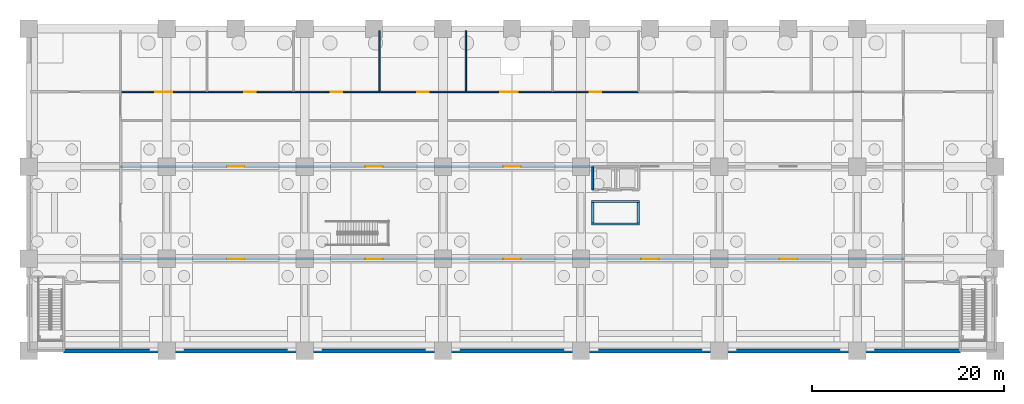
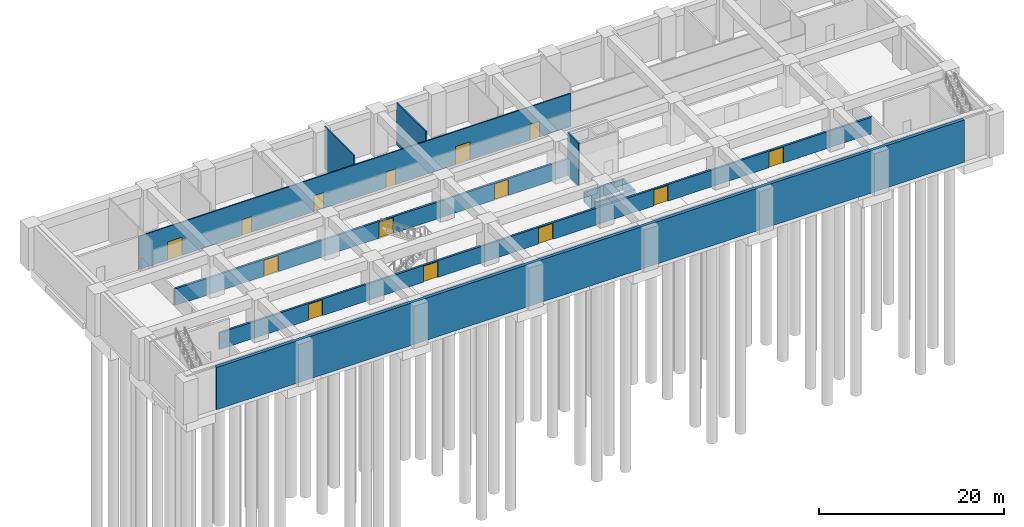
# One storey, part 4 of 13: 14 doors, 11 walls, 14 openings.
"""IFC4 building model written with IfcOpenShell, lengths in metres."""

import ifcopenshell
import ifcopenshell.guid

model = None  # the IFC model being written
_history = None  # IfcOwnerHistory: only IFC2X3 demands one
_inside = {}  # id of a spatial element -> (the spatial element, [elements in it])
_under = {}  # id of a project, library or spatial element -> (it, [spatial elements below it])
_declared = {}  # id of a project -> (the project, [libraries it declares])
_typed = {}  # id of a type object -> (the type object, [elements of that type])
_made_of = {}  # id of a material, layer set ... -> (it, [elements and type objects made of it])


def new_model(schema):
    """Start an empty IFC model of exactly this schema.

    Asked for "IFC4X3", IfcOpenShell would pick the latest addendum, in which some entities
    have other attributes; the version numbers below select the first issue.
    IFC2X3 requires an IfcOwnerHistory on every rooted entity: one is made here for all.
    """
    global model, _history
    if schema == "IFC4X3":
        model = ifcopenshell.file(schema_version=(4, 3, 0, 0))
    else:
        model = ifcopenshell.file(schema=schema)
    _inside.clear()
    _under.clear()
    _declared.clear()
    _typed.clear()
    _made_of.clear()
    _history = None
    if model.schema == "IFC2X3":
        org = make("IfcOrganization", Name="unknown")
        user = make(
            "IfcPersonAndOrganization",
            ThePerson=make("IfcPerson", FamilyName="unknown"),
            TheOrganization=org,
        )
        app = make(
            "IfcApplication",
            ApplicationDeveloper=org,
            Version="unknown",
            ApplicationFullName="unknown",
            ApplicationIdentifier="unknown",
        )
        _history = make(
            "IfcOwnerHistory",
            OwningUser=user,
            OwningApplication=app,
            ChangeAction="ADDED",
            CreationDate=0,
        )
    return model


def make(cls, **values):
    """One entity of the class cls with the attributes given. An attribute that is None is left unset."""
    return model.create_entity(
        cls, **{name: value for name, value in values.items() if value is not None}
    )


def rooted(cls, **values):
    """An entity with a GlobalId (a new one), such as an element, a storey or a relation."""
    return make(cls, GlobalId=ifcopenshell.guid.new(), OwnerHistory=_history, **values)


def si_unit(unit_type, name, prefix=None):
    """IfcSIUnit, for example si_unit("LENGTHUNIT", "METRE", prefix="MILLI")."""
    return make("IfcSIUnit", UnitType=unit_type, Prefix=prefix, Name=name)


def assignment(units):
    """IfcUnitAssignment: the units of a project."""
    return None if units is None else make("IfcUnitAssignment", Units=units)


def point(xyz):
    """IfcCartesianPoint."""
    return None if xyz is None else make("IfcCartesianPoint", Coordinates=xyz)


def direction(xyz):
    """IfcDirection."""
    return None if xyz is None else make("IfcDirection", DirectionRatios=xyz)


def frame(location, z_axis=None, x_axis=None):
    """IfcAxis2Placement3D, a coordinate frame: its origin and axes. An axis left out is left unset."""
    return make(
        "IfcAxis2Placement3D",
        Location=point(location),
        Axis=direction(z_axis),
        RefDirection=direction(x_axis),
    )


def frame_2d(location, x_axis=None):
    """IfcAxis2Placement2D, a coordinate frame in the plane: its origin and x axis."""
    return make(
        "IfcAxis2Placement2D", Location=point(location), RefDirection=direction(x_axis)
    )


def origin():
    """The frame at (0, 0, 0) with its axes left unset."""
    return frame((0.0, 0.0, 0.0))


def place(relative_to, where):
    """IfcLocalPlacement: puts the frame where relative to a parent placement (None: the world)."""
    return make(
        "IfcLocalPlacement", PlacementRelTo=relative_to, RelativePlacement=where
    )


def context(
    kind, dimensions, precision=None, world=None, true_north=None, identifier=None
):
    """IfcGeometricRepresentationContext, for example the 3D "Model" context."""
    return make(
        "IfcGeometricRepresentationContext",
        ContextIdentifier=identifier,
        ContextType=kind,
        CoordinateSpaceDimension=dimensions,
        Precision=precision,
        WorldCoordinateSystem=world,
        TrueNorth=true_north,
    )


def subcontext(parent, identifier, kind, view, scale=None):
    """IfcGeometricRepresentationSubContext, for example "Body" below "Model"."""
    return make(
        "IfcGeometricRepresentationSubContext",
        ContextIdentifier=identifier,
        ContextType=kind,
        ParentContext=parent,
        TargetScale=scale,
        TargetView=view,
    )


def project(units=None, contexts=None):
    """IfcProject with its units and contexts."""
    return rooted(
        "IfcProject",
        Name="project",
        RepresentationContexts=contexts,
        UnitsInContext=assignment(units),
    )


def spatial(cls, under=None, at=None, **own):
    """A site, building, storey or space (cls), placed at a placement, below another one or the project."""
    s = rooted(cls, ObjectPlacement=at, **own)
    if under is not None:
        _under.setdefault(under.id(), (under, []))[1].append(s)
    return s


def profile(cls, at=None, kind="AREA", **sizes):
    """A parametric profile (cls). Its sizes go by their IFC names, for example OverallWidth=200.0."""
    return make(cls, ProfileType=kind, Position=at, **sizes)


def rectangle(**sizes):
    """IfcRectangleProfileDef."""
    return profile("IfcRectangleProfileDef", **sizes)


def extrude(swept, where, along, depth):
    """IfcExtrudedAreaSolid: the profile swept, set in the frame where, extruded along a direction by depth."""
    return make(
        "IfcExtrudedAreaSolid",
        SweptArea=swept,
        Position=where,
        ExtrudedDirection=direction(along),
        Depth=depth,
    )


def shape(context_of_items, identifier, shape_type, items):
    """IfcShapeRepresentation: the items that make up one representation, for example the "Body"."""
    return make(
        "IfcShapeRepresentation",
        ContextOfItems=context_of_items,
        RepresentationIdentifier=identifier,
        RepresentationType=shape_type,
        Items=items,
    )


def material(Name=None, Category=None):
    """IfcMaterial."""
    return make("IfcMaterial", Name=Name, Category=Category)


def layer(
    of_material, thickness, ventilated=None, Name=None, Category=None, Priority=None
):
    """IfcMaterialLayer: one layer of a wall or slab, of a material (None: an air gap)."""
    return make(
        "IfcMaterialLayer",
        Material=of_material,
        LayerThickness=thickness,
        IsVentilated=ventilated,
        Name=Name,
        Category=Category,
        Priority=Priority,
    )


def layer_set(layers, Name=None):
    """IfcMaterialLayerSet."""
    return make("IfcMaterialLayerSet", MaterialLayers=layers, LayerSetName=Name)


def made_of(thing, what):
    """Note that an element or type object is made of a material, layer set ...; save() writes the relation."""
    if what is not None:
        _made_of.setdefault(what.id(), (what, []))[1].append(thing)
    return thing


def type_object(cls, material=None, **own):
    """A type object (cls), such as IfcWallType, which elements share."""
    return made_of(rooted(cls, **own), material)


def element(
    cls,
    number,
    at=None,
    inside=None,
    cuts=None,
    type_object=None,
    material=None,
    context=None,
    identifier="Body",
    shape_type=None,
    held_by="IfcProductDefinitionShape",
    body=None,
    shapes=None,
    **own,
):
    """One element of the class cls, such as IfcWall. Its Tag is "e" and its number.

    at: its placement. inside: the storey or other place that contains it. cuts: it is an
    opening in that element (IfcRelVoidsElement). A single representation is given by context,
    identifier, shape_type and body (its items); several are given by shapes. held_by: the class
    of the entity that holds the representations. save() writes the other relations.
    """
    e = rooted(cls, Tag="e%d" % number, ObjectPlacement=at, **own)
    if body is not None:
        shapes = [shape(context, identifier, shape_type, body)]
    if shapes is not None:
        e.Representation = make(held_by, Representations=shapes)
    if inside is not None:
        _inside.setdefault(inside.id(), (inside, []))[1].append(e)
    if cuts is not None:
        rooted(
            "IfcRelVoidsElement", RelatingBuildingElement=cuts, RelatedOpeningElement=e
        )
    if type_object is not None:
        _typed.setdefault(type_object.id(), (type_object, []))[1].append(e)
    return made_of(e, material)


def fill(opening, filler):
    """IfcRelFillsElement: the door or window that sits in an opening."""
    return rooted(
        "IfcRelFillsElement",
        RelatingOpeningElement=opening,
        RelatedBuildingElement=filler,
    )


def aggregate(whole, parts):
    """IfcRelAggregates: a whole, such as a stair, and the parts it consists of."""
    return rooted("IfcRelAggregates", RelatingObject=whole, RelatedObjects=parts)


def save(model, path):
    """Write the relations noted so far, then the file.

    IfcRelAggregates (storeys below a building ...), IfcRelContainedInSpatialStructure (elements
    in a storey), IfcRelDefinesByType, IfcRelAssociatesMaterial and IfcRelDeclares: one each for
    every whole, place, type object, material and project.
    """
    for whole, parts in _under.values():
        aggregate(whole, parts)
    for where, things in _inside.values():
        rooted(
            "IfcRelContainedInSpatialStructure",
            RelatedElements=things,
            RelatingStructure=where,
        )
    for kind, things in _typed.values():
        rooted("IfcRelDefinesByType", RelatedObjects=things, RelatingType=kind)
    for what, things in _made_of.values():
        rooted("IfcRelAssociatesMaterial", RelatedObjects=things, RelatingMaterial=what)
    for by, libraries in _declared.values():
        rooted("IfcRelDeclares", RelatingContext=by, RelatedDefinitions=libraries)
    model.write(path)


model = new_model("IFC4")

# Units and contexts
model_context = context("Model", 3, precision=1e-05, world=origin(), true_north=direction((0.0, 1.0)))
body_context = subcontext(model_context, "Body", "Model", "MODEL_VIEW")
ifc_project = project(units=[si_unit("LENGTHUNIT", "METRE"), si_unit("AREAUNIT", "SQUARE_METRE"), si_unit("VOLUMEUNIT", "CUBIC_METRE"), si_unit("PLANEANGLEUNIT", "RADIAN"), si_unit("MASSUNIT", "GRAM", prefix="KILO")], contexts=[model_context])

# Site, building, storey
site_placement = place(None, origin())
site = spatial("IfcSite", under=ifc_project, at=site_placement, CompositionType="ELEMENT")
building_placement = place(site_placement, origin())
building = spatial("IfcBuilding", under=site, at=building_placement, Name="Saffron Iwan Residences", CompositionType="ELEMENT")
storey_placement = place(building_placement, frame((0.0, 0.0, -11.39990234375)))
storey = spatial("IfcBuildingStorey", under=building, at=storey_placement, Name="B2", CompositionType="ELEMENT", Elevation=-11.39990234375)

# Wall
ifc_material_1 = material(Name="Concrete C40/50", Category="concrete")
ifc_layer_1 = layer(ifc_material_1, 0.39990234375)
ifc_layer_set_1 = layer_set([ifc_layer_1], Name="Concrete C40/50")
wall_type_1 = type_object("IfcWallType", Name="Basement wall 400", PredefinedType="SOLIDWALL", material=ifc_layer_set_1)
wall_1_placement = place(storey_placement, frame((3.64990234375, 0.0, 0.0), z_axis=(0.0, 0.0, 1.0), x_axis=(1.0, 0.0, 0.0)))
element("IfcWall", 1, at=wall_1_placement, inside=storey, type_object=wall_type_1, Name="W-B2-001", PredefinedType="SOLIDWALL", context=body_context, shape_type="SweptSolid", body=[
    extrude(rectangle(XDim=93.5, YDim=0.39990234375, at=frame_2d((46.75, 0.0))), origin(), (0.0, 0.0, 1.0), 5.599853515625),
])

# Wall, openings, doors
ifc_material_2 = material(Name="Concrete blockwork", Category="masonry")
ifc_layer_2 = layer(ifc_material_2, 0.14990234375)
ifc_layer_set_2 = layer_set([ifc_layer_2], Name="Concrete blockwork")
wall_type_2 = type_object("IfcWallType", Name="Blockwork partition 150", PredefinedType="PARTITIONING", material=ifc_layer_set_2)
wall_2_placement = place(storey_placement, frame((9.60009765625, 27.0, 0.0), z_axis=(0.0, 0.0, 1.0), x_axis=(1.0, 0.0, 0.0)))
wall_2 = element("IfcWall", 2, at=wall_2_placement, inside=storey, type_object=wall_type_2, Name="W-B2-015", PredefinedType="PARTITIONING", context=body_context, shape_type="SweptSolid", body=[
    extrude(rectangle(XDim=54.0, YDim=0.14990234375, at=frame_2d((27.0, 0.0))), origin(), (0.0, 0.0, 1.0), 4.39990234375),
])
opening_1_placement = place(wall_2_placement, frame((3.60009765625, 0.0, 0.0)))
opening_1 = element("IfcOpeningElement", 3, at=opening_1_placement, cuts=wall_2, Name="Opening B2.03", PredefinedType="OPENING", context=body_context, shape_type="SweptSolid", body=[
    extrude(rectangle(XDim=1.800048828125, YDim=2.39990234375, at=frame_2d((0.89990234375, 1.199951171875))), frame((0.0, 0.0849609375, 0.0), z_axis=(0.0, -1.0, 0.0), x_axis=(1.0, 0.0, 0.0)), (0.0, 0.0, 1.0), 0.169921875),
])
opening_2_placement = place(wall_2_placement, frame((12.89990234375, 0.0, 0.0)))
opening_2 = element("IfcOpeningElement", 4, at=opening_2_placement, cuts=wall_2, Name="Opening B2.04", PredefinedType="OPENING", context=body_context, shape_type="SweptSolid", body=[
    extrude(rectangle(XDim=1.199951171875, YDim=2.10009765625, at=frame_2d((0.60009765625, 1.050048828125))), frame((0.0, 0.0849609375, 0.0), z_axis=(0.0, -1.0, 0.0), x_axis=(1.0, 0.0, 0.0)), (0.0, 0.0, 1.0), 0.169921875),
])
opening_3_placement = place(wall_2_placement, frame((21.89990234375, 0.0, 0.0)))
opening_3 = element("IfcOpeningElement", 5, at=opening_3_placement, cuts=wall_2, Name="Opening B2.05", PredefinedType="OPENING", context=body_context, shape_type="SweptSolid", body=[
    extrude(rectangle(XDim=1.199951171875, YDim=2.10009765625, at=frame_2d((0.60009765625, 1.050048828125))), frame((0.0, 0.0849609375, 0.0), z_axis=(0.0, -1.0, 0.0), x_axis=(1.0, 0.0, 0.0)), (0.0, 0.0, 1.0), 0.169921875),
])
opening_4_placement = place(wall_2_placement, frame((30.89990234375, 0.0, 0.0)))
opening_4 = element("IfcOpeningElement", 6, at=opening_4_placement, cuts=wall_2, Name="Opening B2.06", PredefinedType="OPENING", context=body_context, shape_type="SweptSolid", body=[
    extrude(rectangle(XDim=1.199951171875, YDim=2.10009765625, at=frame_2d((0.60009765625, 1.050048828125))), frame((0.0, 0.0849609375, 0.0), z_axis=(0.0, -1.0, 0.0), x_axis=(1.0, 0.0, 0.0)), (0.0, 0.0, 1.0), 0.169921875),
])
opening_5_placement = place(wall_2_placement, frame((39.60009765625, 0.0, 0.0)))
opening_5 = element("IfcOpeningElement", 7, at=opening_5_placement, cuts=wall_2, Name="Opening B2.07", PredefinedType="OPENING", context=body_context, shape_type="SweptSolid", body=[
    extrude(rectangle(XDim=1.800048828125, YDim=2.39990234375, at=frame_2d((0.89990234375, 1.199951171875))), frame((0.0, 0.0849609375, 0.0), z_axis=(0.0, -1.0, 0.0), x_axis=(1.0, 0.0, 0.0)), (0.0, 0.0, 1.0), 0.169921875),
])
opening_6_placement = place(wall_2_placement, frame((48.89990234375, 0.0, 0.0)))
opening_6 = element("IfcOpeningElement", 8, at=opening_6_placement, cuts=wall_2, Name="Opening B2.08", PredefinedType="OPENING", context=body_context, shape_type="SweptSolid", body=[
    extrude(rectangle(XDim=1.199951171875, YDim=2.10009765625, at=frame_2d((0.60009765625, 1.050048828125))), frame((0.0, 0.0849609375, 0.0), z_axis=(0.0, -1.0, 0.0), x_axis=(1.0, 0.0, 0.0)), (0.0, 0.0, 1.0), 0.169921875),
])
ifc_material_3 = material(Name="Steel", Category="steel")
door_type_1 = type_object("IfcDoorType", Name="Fire door 1200x2100", OperationType="NOTDEFINED", PredefinedType="DOOR", material=ifc_material_3)
door_1_placement = place(opening_2_placement, origin())
door_1 = element("IfcDoor", 9, at=door_1_placement, inside=storey, type_object=door_type_1, Name="D-B2-004", OperationType="SINGLE_SWING_LEFT", OverallHeight=2.10009765625, OverallWidth=1.199951171875, PredefinedType="DOOR", context=body_context, shape_type="SweptSolid", body=[
    extrude(rectangle(XDim=1.199951171875, YDim=2.10009765625, at=frame_2d((0.60009765625, 1.050048828125))), frame((0.0, 0.02490234375, 0.0), z_axis=(0.0, -1.0, 0.0), x_axis=(1.0, 0.0, 0.0)), (0.0, 0.0, 1.0), 0.050048828125),
])
fill(opening_2, door_1)
door_2_placement = place(opening_3_placement, origin())
door_2 = element("IfcDoor", 10, at=door_2_placement, inside=storey, type_object=door_type_1, Name="D-B2-005", OperationType="SINGLE_SWING_LEFT", OverallHeight=2.10009765625, OverallWidth=1.199951171875, PredefinedType="DOOR", context=body_context, shape_type="SweptSolid", body=[
    extrude(rectangle(XDim=1.199951171875, YDim=2.10009765625, at=frame_2d((0.60009765625, 1.050048828125))), frame((0.0, 0.02490234375, 0.0), z_axis=(0.0, -1.0, 0.0), x_axis=(1.0, 0.0, 0.0)), (0.0, 0.0, 1.0), 0.050048828125),
])
fill(opening_3, door_2)
door_3_placement = place(opening_4_placement, origin())
door_3 = element("IfcDoor", 11, at=door_3_placement, inside=storey, type_object=door_type_1, Name="D-B2-006", OperationType="SINGLE_SWING_RIGHT", OverallHeight=2.10009765625, OverallWidth=1.199951171875, PredefinedType="DOOR", context=body_context, shape_type="SweptSolid", body=[
    extrude(rectangle(XDim=1.199951171875, YDim=2.10009765625, at=frame_2d((0.60009765625, 1.050048828125))), frame((0.0, 0.02490234375, 0.0), z_axis=(0.0, -1.0, 0.0), x_axis=(1.0, 0.0, 0.0)), (0.0, 0.0, 1.0), 0.050048828125),
])
fill(opening_4, door_3)
door_4_placement = place(opening_6_placement, origin())
door_4 = element("IfcDoor", 12, at=door_4_placement, inside=storey, type_object=door_type_1, Name="D-B2-008", OperationType="SINGLE_SWING_RIGHT", OverallHeight=2.10009765625, OverallWidth=1.199951171875, PredefinedType="DOOR", context=body_context, shape_type="SweptSolid", body=[
    extrude(rectangle(XDim=1.199951171875, YDim=2.10009765625, at=frame_2d((0.60009765625, 1.050048828125))), frame((0.0, 0.02490234375, 0.0), z_axis=(0.0, -1.0, 0.0), x_axis=(1.0, 0.0, 0.0)), (0.0, 0.0, 1.0), 0.050048828125),
])
fill(opening_6, door_4)
door_type_2 = type_object("IfcDoorType", Name="Plant room louvred double door 1800x2400", OperationType="DOUBLE_DOOR_SINGLE_SWING", PredefinedType="DOOR", material=ifc_material_3)
door_5_placement = place(opening_1_placement, origin())
door_5 = element("IfcDoor", 13, at=door_5_placement, inside=storey, type_object=door_type_2, Name="D-B2-003", OperationType="DOUBLE_DOOR_SINGLE_SWING", OverallHeight=2.39990234375, OverallWidth=1.800048828125, PredefinedType="DOOR", context=body_context, shape_type="SweptSolid", body=[
    extrude(rectangle(XDim=1.800048828125, YDim=2.39990234375, at=frame_2d((0.89990234375, 1.199951171875))), frame((0.0, 0.02490234375, 0.0), z_axis=(0.0, -1.0, 0.0), x_axis=(1.0, 0.0, 0.0)), (0.0, 0.0, 1.0), 0.050048828125),
])
fill(opening_1, door_5)
door_6_placement = place(opening_5_placement, origin())
door_6 = element("IfcDoor", 14, at=door_6_placement, inside=storey, type_object=door_type_2, Name="D-B2-007", OperationType="DOUBLE_DOOR_SINGLE_SWING", OverallHeight=2.39990234375, OverallWidth=1.800048828125, PredefinedType="DOOR", context=body_context, shape_type="SweptSolid", body=[
    extrude(rectangle(XDim=1.800048828125, YDim=2.39990234375, at=frame_2d((0.89990234375, 1.199951171875))), frame((0.0, 0.02490234375, 0.0), z_axis=(0.0, -1.0, 0.0), x_axis=(1.0, 0.0, 0.0)), (0.0, 0.0, 1.0), 0.050048828125),
])
fill(opening_5, door_6)

# Walls
for number, where, z_axis, x_axis, name in (
    (15, (36.60009765625, 27.074951171875, 0.0), (0.0, 0.0, 1.0), (0.0, 1.0, 0.0), "W-B2-029"),
    (16, (45.60009765625, 27.074951171875, 0.0), (0.0, 0.0, 1.0), (0.0, 1.0, 0.0), "W-B2-030"),
):
    element("IfcWall", number, at=place(storey_placement, frame(where, z_axis=z_axis, x_axis=x_axis)), inside=storey, type_object=wall_type_2, Name=name, PredefinedType="PARTITIONING", context=body_context, shape_type="SweptSolid", body=[
        extrude(rectangle(XDim=6.324951171875, YDim=0.14990234375, at=frame_2d((3.16259765625, 0.0))), origin(), (0.0, 0.0, 1.0), 5.599853515625),
    ])

# Wall, openings, doors
ifc_layer_3 = layer(ifc_material_1, 0.25)
ifc_layer_set_3 = layer_set([ifc_layer_3], Name="Concrete C40/50")
wall_type_3 = type_object("IfcWallType", Name="Fire compartment wall 250", PredefinedType="SOLIDWALL", material=ifc_layer_set_3)
wall_3_placement = place(storey_placement, frame((9.60009765625, 9.60009765625, 0.0), z_axis=(0.0, 0.0, 1.0), x_axis=(1.0, 0.0, 0.0)))
wall_3 = element("IfcWall", 17, at=wall_3_placement, inside=storey, type_object=wall_type_3, Name="W-B2-008", PredefinedType="SOLIDWALL", context=body_context, shape_type="SweptSolid", body=[
    extrude(rectangle(XDim=81.599853515625, YDim=0.25, at=frame_2d((40.7998046875, 0.0))), origin(), (0.0, 0.0, 1.0), 2.199951171875),
])
opening_7_placement = place(wall_3_placement, frame((11.10009765625, 0.0, 0.0)))
opening_7 = element("IfcOpeningElement", 18, at=opening_7_placement, cuts=wall_3, Name="Opening B2.20", PredefinedType="OPENING", context=body_context, shape_type="SweptSolid", body=[
    extrude(rectangle(XDim=1.800048828125, YDim=2.10009765625, at=frame_2d((0.89990234375, 1.050048828125))), frame((0.0, 0.135009765625, 0.0), z_axis=(0.0, -1.0, 0.0), x_axis=(1.0, 0.0, 0.0)), (0.0, 0.0, 1.0), 0.27001953125),
])
opening_8_placement = place(wall_3_placement, frame((25.5, 0.0, 0.0)))
opening_8 = element("IfcOpeningElement", 19, at=opening_8_placement, cuts=wall_3, Name="Opening B2.22", PredefinedType="OPENING", context=body_context, shape_type="SweptSolid", body=[
    extrude(rectangle(XDim=1.800048828125, YDim=2.10009765625, at=frame_2d((0.89990234375, 1.050048828125))), frame((0.0, 0.135009765625, 0.0), z_axis=(0.0, -1.0, 0.0), x_axis=(1.0, 0.0, 0.0)), (0.0, 0.0, 1.0), 0.27001953125),
])
opening_9_placement = place(wall_3_placement, frame((39.89990234375, 0.0, 0.0)))
opening_9 = element("IfcOpeningElement", 20, at=opening_9_placement, cuts=wall_3, Name="Opening B2.24", PredefinedType="OPENING", context=body_context, shape_type="SweptSolid", body=[
    extrude(rectangle(XDim=1.800048828125, YDim=2.10009765625, at=frame_2d((0.89990234375, 1.050048828125))), frame((0.0, 0.135009765625, 0.0), z_axis=(0.0, -1.0, 0.0), x_axis=(1.0, 0.0, 0.0)), (0.0, 0.0, 1.0), 0.27001953125),
])
opening_10_placement = place(wall_3_placement, frame((54.300048828125, 0.0, 0.0)))
opening_10 = element("IfcOpeningElement", 21, at=opening_10_placement, cuts=wall_3, Name="Opening B2.26", PredefinedType="OPENING", context=body_context, shape_type="SweptSolid", body=[
    extrude(rectangle(XDim=1.800048828125, YDim=2.10009765625, at=frame_2d((0.89990234375, 1.050048828125))), frame((0.0, 0.135009765625, 0.0), z_axis=(0.0, -1.0, 0.0), x_axis=(1.0, 0.0, 0.0)), (0.0, 0.0, 1.0), 0.27001953125),
])
opening_11_placement = place(wall_3_placement, frame((68.699951171875, 0.0, 0.0)))
opening_11 = element("IfcOpeningElement", 22, at=opening_11_placement, cuts=wall_3, Name="Opening B2.28", PredefinedType="OPENING", context=body_context, shape_type="SweptSolid", body=[
    extrude(rectangle(XDim=1.800048828125, YDim=2.10009765625, at=frame_2d((0.89990234375, 1.050048828125))), frame((0.0, 0.135009765625, 0.0), z_axis=(0.0, -1.0, 0.0), x_axis=(1.0, 0.0, 0.0)), (0.0, 0.0, 1.0), 0.27001953125),
])
ifc_material_4 = material(Name="Glass", Category="glass")
door_type_3 = type_object("IfcDoorType", Name="Platform screen door 1800", OperationType="SLIDING_TO_LEFT", PredefinedType="DOOR", material=ifc_material_4)
door_7_placement = place(opening_7_placement, origin())
door_7 = element("IfcDoor", 23, at=door_7_placement, inside=storey, type_object=door_type_3, Name="D-B2-020", OperationType="SLIDING_TO_LEFT", OverallHeight=2.10009765625, OverallWidth=1.800048828125, PredefinedType="DOOR", context=body_context, shape_type="SweptSolid", body=[
    extrude(rectangle(XDim=1.800048828125, YDim=2.10009765625, at=frame_2d((0.89990234375, 1.050048828125))), frame((0.0, 0.02490234375, 0.0), z_axis=(0.0, -1.0, 0.0), x_axis=(1.0, 0.0, 0.0)), (0.0, 0.0, 1.0), 0.050048828125),
])
fill(opening_7, door_7)
door_8_placement = place(opening_8_placement, origin())
door_8 = element("IfcDoor", 24, at=door_8_placement, inside=storey, type_object=door_type_3, Name="D-B2-022", OperationType="SLIDING_TO_LEFT", OverallHeight=2.10009765625, OverallWidth=1.800048828125, PredefinedType="DOOR", context=body_context, shape_type="SweptSolid", body=[
    extrude(rectangle(XDim=1.800048828125, YDim=2.10009765625, at=frame_2d((0.89990234375, 1.050048828125))), frame((0.0, 0.02490234375, 0.0), z_axis=(0.0, -1.0, 0.0), x_axis=(1.0, 0.0, 0.0)), (0.0, 0.0, 1.0), 0.050048828125),
])
fill(opening_8, door_8)
door_9_placement = place(opening_9_placement, origin())
door_9 = element("IfcDoor", 25, at=door_9_placement, inside=storey, type_object=door_type_3, Name="D-B2-024", OperationType="SLIDING_TO_LEFT", OverallHeight=2.10009765625, OverallWidth=1.800048828125, PredefinedType="DOOR", context=body_context, shape_type="SweptSolid", body=[
    extrude(rectangle(XDim=1.800048828125, YDim=2.10009765625, at=frame_2d((0.89990234375, 1.050048828125))), frame((0.0, 0.02490234375, 0.0), z_axis=(0.0, -1.0, 0.0), x_axis=(1.0, 0.0, 0.0)), (0.0, 0.0, 1.0), 0.050048828125),
])
fill(opening_9, door_9)
door_10_placement = place(opening_10_placement, origin())
door_10 = element("IfcDoor", 26, at=door_10_placement, inside=storey, type_object=door_type_3, Name="D-B2-026", OperationType="SLIDING_TO_LEFT", OverallHeight=2.10009765625, OverallWidth=1.800048828125, PredefinedType="DOOR", context=body_context, shape_type="SweptSolid", body=[
    extrude(rectangle(XDim=1.800048828125, YDim=2.10009765625, at=frame_2d((0.89990234375, 1.050048828125))), frame((0.0, 0.02490234375, 0.0), z_axis=(0.0, -1.0, 0.0), x_axis=(1.0, 0.0, 0.0)), (0.0, 0.0, 1.0), 0.050048828125),
])
fill(opening_10, door_10)
door_11_placement = place(opening_11_placement, origin())
door_11 = element("IfcDoor", 27, at=door_11_placement, inside=storey, type_object=door_type_3, Name="D-B2-028", OperationType="SLIDING_TO_LEFT", OverallHeight=2.10009765625, OverallWidth=1.800048828125, PredefinedType="DOOR", context=body_context, shape_type="SweptSolid", body=[
    extrude(rectangle(XDim=1.800048828125, YDim=2.10009765625, at=frame_2d((0.89990234375, 1.050048828125))), frame((0.0, 0.02490234375, 0.0), z_axis=(0.0, -1.0, 0.0), x_axis=(1.0, 0.0, 0.0)), (0.0, 0.0, 1.0), 0.050048828125),
])
fill(opening_11, door_11)

wall_4_placement = place(storey_placement, frame((9.60009765625, 19.199951171875, 0.0), z_axis=(0.0, 0.0, 1.0), x_axis=(1.0, 0.0, 0.0)))
wall_4 = element("IfcWall", 28, at=wall_4_placement, inside=storey, type_object=wall_type_3, Name="W-B2-011", PredefinedType="SOLIDWALL", context=body_context, shape_type="SweptSolid", body=[
    extrude(rectangle(XDim=49.199951171875, YDim=0.25, at=frame_2d((24.60009765625, 0.0))), origin(), (0.0, 0.0, 1.0), 2.199951171875),
])
opening_12_placement = place(wall_4_placement, frame((11.10009765625, 0.0, 0.0)))
opening_12 = element("IfcOpeningElement", 29, at=opening_12_placement, cuts=wall_4, Name="Opening B2.21", PredefinedType="OPENING", context=body_context, shape_type="SweptSolid", body=[
    extrude(rectangle(XDim=1.800048828125, YDim=2.10009765625, at=frame_2d((0.89990234375, 1.050048828125))), frame((0.0, 0.135009765625, 0.0), z_axis=(0.0, -1.0, 0.0), x_axis=(1.0, 0.0, 0.0)), (0.0, 0.0, 1.0), 0.27001953125),
])
opening_13_placement = place(wall_4_placement, frame((25.5, 0.0, 0.0)))
opening_13 = element("IfcOpeningElement", 30, at=opening_13_placement, cuts=wall_4, Name="Opening B2.23", PredefinedType="OPENING", context=body_context, shape_type="SweptSolid", body=[
    extrude(rectangle(XDim=1.800048828125, YDim=2.10009765625, at=frame_2d((0.89990234375, 1.050048828125))), frame((0.0, 0.135009765625, 0.0), z_axis=(0.0, -1.0, 0.0), x_axis=(1.0, 0.0, 0.0)), (0.0, 0.0, 1.0), 0.27001953125),
])
opening_14_placement = place(wall_4_placement, frame((39.89990234375, 0.0, 0.0)))
opening_14 = element("IfcOpeningElement", 31, at=opening_14_placement, cuts=wall_4, Name="Opening B2.25", PredefinedType="OPENING", context=body_context, shape_type="SweptSolid", body=[
    extrude(rectangle(XDim=1.800048828125, YDim=2.10009765625, at=frame_2d((0.89990234375, 1.050048828125))), frame((0.0, 0.135009765625, 0.0), z_axis=(0.0, -1.0, 0.0), x_axis=(1.0, 0.0, 0.0)), (0.0, 0.0, 1.0), 0.27001953125),
])
door_12_placement = place(opening_12_placement, origin())
door_12 = element("IfcDoor", 32, at=door_12_placement, inside=storey, type_object=door_type_3, Name="D-B2-021", OperationType="SLIDING_TO_LEFT", OverallHeight=2.10009765625, OverallWidth=1.800048828125, PredefinedType="DOOR", context=body_context, shape_type="SweptSolid", body=[
    extrude(rectangle(XDim=1.800048828125, YDim=2.10009765625, at=frame_2d((0.89990234375, 1.050048828125))), frame((0.0, 0.02490234375, 0.0), z_axis=(0.0, -1.0, 0.0), x_axis=(1.0, 0.0, 0.0)), (0.0, 0.0, 1.0), 0.050048828125),
])
fill(opening_12, door_12)
door_13_placement = place(opening_13_placement, origin())
door_13 = element("IfcDoor", 33, at=door_13_placement, inside=storey, type_object=door_type_3, Name="D-B2-023", OperationType="SLIDING_TO_LEFT", OverallHeight=2.10009765625, OverallWidth=1.800048828125, PredefinedType="DOOR", context=body_context, shape_type="SweptSolid", body=[
    extrude(rectangle(XDim=1.800048828125, YDim=2.10009765625, at=frame_2d((0.89990234375, 1.050048828125))), frame((0.0, 0.02490234375, 0.0), z_axis=(0.0, -1.0, 0.0), x_axis=(1.0, 0.0, 0.0)), (0.0, 0.0, 1.0), 0.050048828125),
])
fill(opening_13, door_13)
door_14_placement = place(opening_14_placement, origin())
door_14 = element("IfcDoor", 34, at=door_14_placement, inside=storey, type_object=door_type_3, Name="D-B2-025", OperationType="SLIDING_TO_LEFT", OverallHeight=2.10009765625, OverallWidth=1.800048828125, PredefinedType="DOOR", context=body_context, shape_type="SweptSolid", body=[
    extrude(rectangle(XDim=1.800048828125, YDim=2.10009765625, at=frame_2d((0.89990234375, 1.050048828125))), frame((0.0, 0.02490234375, 0.0), z_axis=(0.0, -1.0, 0.0), x_axis=(1.0, 0.0, 0.0)), (0.0, 0.0, 1.0), 0.050048828125),
])
fill(opening_14, door_14)

# Walls
ifc_layer_4 = layer(ifc_material_1, 0.199951171875)
ifc_layer_set_4 = layer_set([ifc_layer_4], Name="Concrete C40/50")
wall_type_4 = type_object("IfcWallType", Name="Reinforced concrete stair wall 200", PredefinedType="SOLIDWALL", material=ifc_layer_set_4)
wall_5_placement = place(storey_placement, frame((58.800048828125, 16.800048828125, 0.0), z_axis=(0.0, 0.0, 1.0), x_axis=(0.0, 1.0, 0.0)))
element("IfcWall", 35, at=wall_5_placement, inside=storey, type_object=wall_type_4, Name="W-B2-032", PredefinedType="SOLIDWALL", context=body_context, shape_type="SweptSolid", body=[
    extrude(rectangle(XDim=2.39990234375, YDim=0.199951171875, at=frame_2d((1.199951171875, 0.0))), origin(), (0.0, 0.0, 1.0), 5.599853515625),
])
ifc_layer_5 = layer(ifc_material_1, 0.25)
ifc_layer_set_5 = layer_set([ifc_layer_5], Name="Concrete C40/50")
wall_type_5 = type_object("IfcWallType", Name="WALL LIFT PIT 250 C40/50 1400 HIGH", PredefinedType="SHEAR", material=ifc_layer_set_5)
for number, where, z_axis, x_axis, name in (
    (36, (58.699951171875, 13.22509765625, -1.400146484375), (0.0, 0.0, 1.0), (1.0, 0.0, 0.0), "Lift pit wall"),
    (37, (58.699951171875, 15.574951171875, -1.400146484375), (0.0, 0.0, 1.0), (1.0, 0.0, 0.0), "Lift pit wall"),
):
    element("IfcWall", number, at=place(storey_placement, frame(where, z_axis=z_axis, x_axis=x_axis)), inside=storey, type_object=wall_type_5, Name=name, PredefinedType="SHEAR", context=body_context, shape_type="SweptSolid", body=[
        extrude(rectangle(XDim=5.0, YDim=0.25, at=frame_2d((2.5, 0.0))), origin(), (0.0, 0.0, 1.0), 1.400146484375),
    ])
for number, where, z_axis, x_axis, name in (
    (38, (58.824951171875, 13.35009765625, -1.400146484375), (0.0, 0.0, 1.0), (0.0, 1.0, 0.0), "Lift pit wall"),
    (39, (63.574951171875, 13.35009765625, -1.400146484375), (0.0, 0.0, 1.0), (0.0, 1.0, 0.0), "Lift pit wall"),
):
    element("IfcWall", number, at=place(storey_placement, frame(where, z_axis=z_axis, x_axis=x_axis)), inside=storey, type_object=wall_type_5, Name=name, PredefinedType="SHEAR", context=body_context, shape_type="SweptSolid", body=[
        extrude(rectangle(XDim=2.099853515625, YDim=0.25, at=frame_2d((1.0498046875, 0.0))), origin(), (0.0, 0.0, 1.0), 1.400146484375),
    ])

save(model, "model.ifc")
